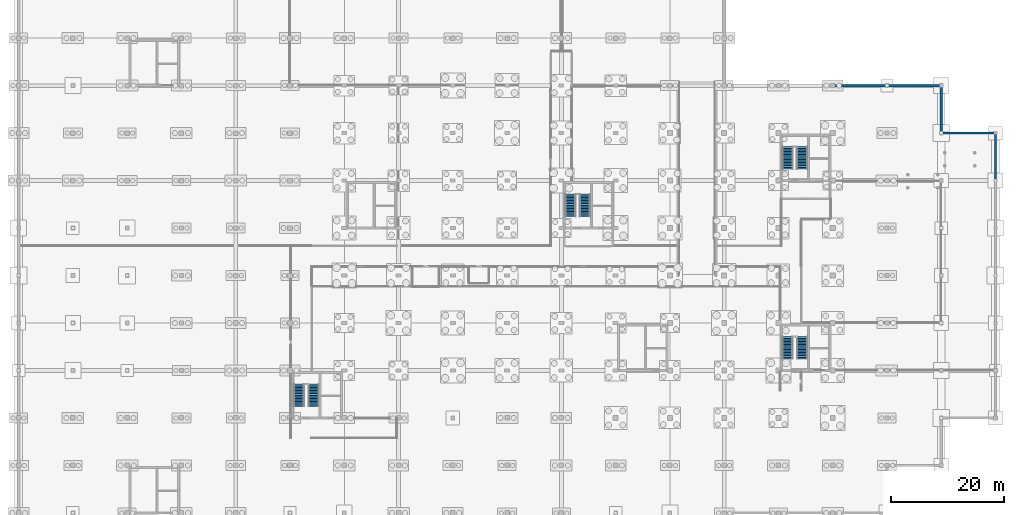
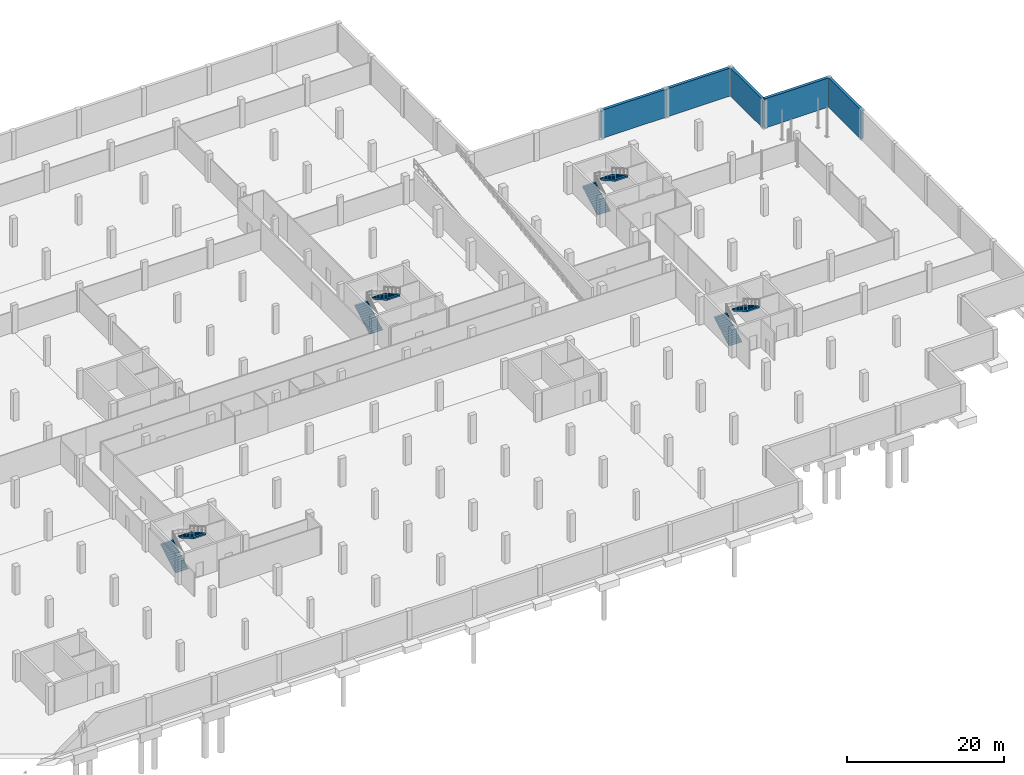
# One storey, part 24 of 26: 8 stair flights, 5 walls, 4 elements without a shape of their own.
"""IFC4 building model written with IfcOpenShell, lengths in metres."""

from ifc_helpers import new_model, si_unit, direction, frame, frame_2d, origin, place, context, subcontext, project, spatial, polyline, rectangle, outline, extrude, material, layer, layer_set, type_object, element, aggregate, save


model = new_model("IFC4")

# Units and contexts
model_context = context("Model", 3, precision=1e-05, world=origin(), true_north=direction((0.0, 1.0)))
body_context = subcontext(model_context, "Body", "Model", "MODEL_VIEW")
ifc_project = project(units=[si_unit("LENGTHUNIT", "METRE"), si_unit("AREAUNIT", "SQUARE_METRE"), si_unit("VOLUMEUNIT", "CUBIC_METRE"), si_unit("PLANEANGLEUNIT", "RADIAN"), si_unit("MASSUNIT", "GRAM", prefix="KILO")], contexts=[model_context])

# Site, building, storey
site_placement = place(None, origin())
site = spatial("IfcSite", under=ifc_project, at=site_placement, CompositionType="ELEMENT")
building_placement = place(site_placement, origin())
building = spatial("IfcBuilding", under=site, at=building_placement, Name="Lornevale Opera House", CompositionType="ELEMENT")
storey_placement = place(building_placement, frame((0.0, 0.0, -9.60009765625)))
storey = spatial("IfcBuildingStorey", under=building, at=storey_placement, Name="B2", CompositionType="ELEMENT", Elevation=-9.60009765625)

# Walls
ifc_material_1 = material(Name="Concrete 40 MPa (CSA A23.1 C-1)", Category="concrete")
ifc_layer_1 = layer(ifc_material_1, 0.419921875)
ifc_layer_set_1 = layer_set([ifc_layer_1], Name="Concrete 40 MPa (CSA A23.1 C-1)")
wall_type = type_object("IfcWallType", Name="Basement Retaining Wall 420", PredefinedType="USERDEFINED", material=ifc_layer_set_1)
wall_1_placement = place(storey_placement, frame((144.0, 84.0, 0.0), z_axis=(0.0, 0.0, 1.0), x_axis=(1.0, 0.0, 0.0)))
element("IfcWall", 1, at=wall_1_placement, inside=storey, type_object=wall_type, Name="Basement Escarpment Plinth Wall WL-EXT-0052", ObjectType="RETAINING WALL", PredefinedType="USERDEFINED", context=body_context, shape_type="SweptSolid", body=[
    extrude(rectangle(XDim=9.60009765625, YDim=0.419921875, at=frame_2d((4.800048828125, 0.0))), origin(), (0.0, 0.0, 1.0), 4.380126953125),
])
wall_2_placement = place(storey_placement, frame((153.60009765625, 84.0, 0.0), z_axis=(0.0, 0.0, 1.0), x_axis=(1.0, 0.0, 0.0)))
element("IfcWall", 2, at=wall_2_placement, inside=storey, type_object=wall_type, Name="Basement Escarpment Plinth Wall WL-EXT-0055", ObjectType="RETAINING WALL", PredefinedType="USERDEFINED", context=body_context, shape_type="SweptSolid", body=[
    extrude(rectangle(XDim=9.599853515625, YDim=0.419921875, at=frame_2d((4.7998046875, 0.0))), origin(), (0.0, 0.0, 1.0), 4.380126953125),
])
wall_3_placement = place(storey_placement, frame((163.199951171875, 84.0, 0.0), z_axis=(0.0, 0.0, 1.0), x_axis=(0.0, -1.0, 0.0)))
element("IfcWall", 3, at=wall_3_placement, inside=storey, type_object=wall_type, Name="Basement Escarpment Plinth Wall WL-EXT-0056", ObjectType="RETAINING WALL", PredefinedType="USERDEFINED", context=body_context, shape_type="SweptSolid", body=[
    extrude(rectangle(XDim=8.39990234375, YDim=0.419921875, at=frame_2d((4.199951171875, 0.0))), origin(), (0.0, 0.0, 1.0), 4.380126953125),
])
wall_4_placement = place(storey_placement, frame((163.199951171875, 75.60009765625, 0.0), z_axis=(0.0, 0.0, 1.0), x_axis=(1.0, 0.0, 0.0)))
element("IfcWall", 4, at=wall_4_placement, inside=storey, type_object=wall_type, Name="Basement Escarpment Plinth Wall WL-EXT-0063", ObjectType="RETAINING WALL", PredefinedType="USERDEFINED", context=body_context, shape_type="SweptSolid", body=[
    extrude(rectangle(XDim=9.60009765625, YDim=0.419921875, at=frame_2d((4.800048828125, 0.0))), origin(), (0.0, 0.0, 1.0), 4.550048828125),
])
wall_5_placement = place(storey_placement, frame((172.800048828125, 75.60009765625, 0.0), z_axis=(0.0, 0.0, 1.0), x_axis=(0.0, -1.0, 0.0)))
element("IfcWall", 5, at=wall_5_placement, inside=storey, type_object=wall_type, Name="Basement Escarpment Plinth Wall WL-EXT-0064", ObjectType="RETAINING WALL", PredefinedType="USERDEFINED", context=body_context, shape_type="SweptSolid", body=[
    extrude(rectangle(XDim=8.400146484375, YDim=0.419921875, at=frame_2d((4.2001953125, 0.0))), origin(), (0.0, 0.0, 1.0), 4.550048828125),
])

# Stair, stair flights
ifc_material_2 = material(Name="Concrete 35 MPa (CSA A23.1 N)", Category="concrete")
ifc_layer_2 = layer(ifc_material_2, 4.800048828125)
ifc_layer_set_2 = layer_set([ifc_layer_2], Name="Concrete 35 MPa (CSA A23.1 N)")
stair_type_1 = type_object("IfcStairType", Name="Protected Exit Stair 4800-W1840", PredefinedType="TWO_STRAIGHT_RUN_STAIR", material=ifc_layer_set_2)
stair_1_placement = place(storey_placement, origin())
stair_1 = element("IfcStair", 6, at=stair_1_placement, inside=storey, type_object=stair_type_1, Name="South-West Foyer Core Stair ST-01 (B2-B1)", PredefinedType="TWO_STRAIGHT_RUN_STAIR")
ifc_layer_3 = layer(ifc_material_2, 0.199951171875)
ifc_layer_set_3 = layer_set([ifc_layer_3], Name="Concrete 35 MPa (CSA A23.1 N)")
stair_flight_type_1 = type_object("IfcStairFlightType", Name="Exit Stair Flight 15R-W1840", PredefinedType="STRAIGHT", material=ifc_layer_set_3)
stair_flight_1_placement = place(storey_placement, frame((49.60009765625, 27.260009765625, 0.0), z_axis=(0.0, 0.0, 1.0), x_axis=(0.0, 1.0, 0.0)))
stair_flight_1 = element("IfcStairFlight", 7, at=stair_flight_1_placement, type_object=stair_flight_type_1, Name="ST-01 Lower Flight SF-001", NumberOfRisers=15, NumberOfTreads=14, PredefinedType="STRAIGHT", RiserHeight=0.16, TreadLength=0.28, context=body_context, shape_type="SweptSolid", body=[
    extrude(outline(polyline([(0.0, 0.0), (0.0, 0.159912109375), (0.280029296875, 0.159912109375), (0.280029296875, 0.320068359375), (0.56005859375, 0.320068359375), (0.56005859375, 0.47998046875), (0.840087890625, 0.47998046875), (0.840087890625, 0.639892578125), (1.1201171875, 0.639892578125), (1.1201171875, 0.800048828125), (1.39990234375, 0.800048828125), (1.39990234375, 0.9599609375), (1.679931640625, 0.9599609375), (1.679931640625, 1.1201171875), (1.9599609375, 1.1201171875), (1.9599609375, 1.280029296875), (2.239990234375, 1.280029296875), (2.239990234375, 1.43994140625), (2.52001953125, 1.43994140625), (2.52001953125, 1.60009765625), (2.800048828125, 1.60009765625), (2.800048828125, 1.760009765625), (3.080078125, 1.760009765625), (3.080078125, 1.919921875), (3.360107421875, 1.919921875), (3.360107421875, 2.080078125), (3.639892578125, 2.080078125), (3.639892578125, 2.239990234375), (3.919921875, 2.239990234375), (3.919921875, 2.009765625), (0.403076171875, 0.0), (0.0, 0.0)])), frame((0.0, 0.919921875, 0.0), z_axis=(0.0, -1.0, 0.0), x_axis=(1.0, 0.0, 0.0)), (0.0, 0.0, 1.0), 1.840087890625),
])
stair_flight_2_placement = place(storey_placement, frame((52.199951171875, 31.179931640625, 2.400146484375), z_axis=(0.0, 0.0, 1.0), x_axis=(0.0, -1.0, 0.0)))
stair_flight_2 = element("IfcStairFlight", 8, at=stair_flight_2_placement, type_object=stair_flight_type_1, Name="ST-01 Upper Flight SF-002", NumberOfRisers=15, NumberOfTreads=14, PredefinedType="STRAIGHT", RiserHeight=0.16, TreadLength=0.28, context=body_context, shape_type="SweptSolid", body=[
    extrude(outline(polyline([(0.0, 0.0), (0.0, 0.159912109375), (0.280029296875, 0.159912109375), (0.280029296875, 0.320068359375), (0.56005859375, 0.320068359375), (0.56005859375, 0.47998046875), (0.840087890625, 0.47998046875), (0.840087890625, 0.639892578125), (1.1201171875, 0.639892578125), (1.1201171875, 0.800048828125), (1.39990234375, 0.800048828125), (1.39990234375, 0.9599609375), (1.679931640625, 0.9599609375), (1.679931640625, 1.1201171875), (1.9599609375, 1.1201171875), (1.9599609375, 1.280029296875), (2.239990234375, 1.280029296875), (2.239990234375, 1.43994140625), (2.52001953125, 1.43994140625), (2.52001953125, 1.60009765625), (2.800048828125, 1.60009765625), (2.800048828125, 1.760009765625), (3.080078125, 1.760009765625), (3.080078125, 1.919921875), (3.360107421875, 1.919921875), (3.360107421875, 2.080078125), (3.639892578125, 2.080078125), (3.639892578125, 2.239990234375), (3.919921875, 2.239990234375), (3.919921875, 2.009765625), (0.403076171875, 0.0), (0.0, 0.0)])), frame((0.0, 0.919921875, 0.0), z_axis=(0.0, -1.0, 0.0), x_axis=(1.0, 0.0, 0.0)), (0.0, 0.0, 1.0), 1.840087890625),
])
aggregate(stair_1, [stair_flight_1, stair_flight_2])

stair_2_placement = place(storey_placement, origin())
stair_2 = element("IfcStair", 9, at=stair_2_placement, inside=storey, type_object=stair_type_1, Name="Backstage Service Lift Core Stair ST-35 (B2-B1)", PredefinedType="TWO_STRAIGHT_RUN_STAIR")
stair_flight_3_placement = place(storey_placement, frame((136.0, 35.659912109375, 0.0), z_axis=(0.0, 0.0, 1.0), x_axis=(0.0, 1.0, 0.0)))
stair_flight_3 = element("IfcStairFlight", 10, at=stair_flight_3_placement, type_object=stair_flight_type_1, Name="ST-35 Lower Flight SF-069", NumberOfRisers=15, NumberOfTreads=14, PredefinedType="STRAIGHT", RiserHeight=0.16, TreadLength=0.28, context=body_context, shape_type="SweptSolid", body=[
    extrude(outline(polyline([(0.0, 0.0), (0.0, 0.159912109375), (0.280029296875, 0.159912109375), (0.280029296875, 0.320068359375), (0.56005859375, 0.320068359375), (0.56005859375, 0.47998046875), (0.840087890625, 0.47998046875), (0.840087890625, 0.639892578125), (1.1201171875, 0.639892578125), (1.1201171875, 0.800048828125), (1.39990234375, 0.800048828125), (1.39990234375, 0.9599609375), (1.679931640625, 0.9599609375), (1.679931640625, 1.1201171875), (1.9599609375, 1.1201171875), (1.9599609375, 1.280029296875), (2.239990234375, 1.280029296875), (2.239990234375, 1.43994140625), (2.52001953125, 1.43994140625), (2.52001953125, 1.60009765625), (2.800048828125, 1.60009765625), (2.800048828125, 1.760009765625), (3.080078125, 1.760009765625), (3.080078125, 1.919921875), (3.360107421875, 1.919921875), (3.360107421875, 2.080078125), (3.639892578125, 2.080078125), (3.639892578125, 2.239990234375), (3.919921875, 2.239990234375), (3.919921875, 2.009765625), (0.403076171875, 0.0), (0.0, 0.0)])), frame((0.0, 0.919921875, 0.0), z_axis=(0.0, -1.0, 0.0), x_axis=(1.0, 0.0, 0.0)), (0.0, 0.0, 1.0), 1.840087890625),
])
stair_flight_4_placement = place(storey_placement, frame((138.60009765625, 39.580078125, 2.400146484375), z_axis=(0.0, 0.0, 1.0), x_axis=(0.0, -1.0, 0.0)))
stair_flight_4 = element("IfcStairFlight", 11, at=stair_flight_4_placement, type_object=stair_flight_type_1, Name="ST-35 Upper Flight SF-070", NumberOfRisers=15, NumberOfTreads=14, PredefinedType="STRAIGHT", RiserHeight=0.16, TreadLength=0.28, context=body_context, shape_type="SweptSolid", body=[
    extrude(outline(polyline([(0.0, 0.0), (0.0, 0.159912109375), (0.280029296875, 0.159912109375), (0.280029296875, 0.320068359375), (0.56005859375, 0.320068359375), (0.56005859375, 0.47998046875), (0.840087890625, 0.47998046875), (0.840087890625, 0.639892578125), (1.1201171875, 0.639892578125), (1.1201171875, 0.800048828125), (1.39990234375, 0.800048828125), (1.39990234375, 0.9599609375), (1.679931640625, 0.9599609375), (1.679931640625, 1.1201171875), (1.9599609375, 1.1201171875), (1.9599609375, 1.280029296875), (2.239990234375, 1.280029296875), (2.239990234375, 1.43994140625), (2.52001953125, 1.43994140625), (2.52001953125, 1.60009765625), (2.800048828125, 1.60009765625), (2.800048828125, 1.760009765625), (3.080078125, 1.760009765625), (3.080078125, 1.919921875), (3.360107421875, 1.919921875), (3.360107421875, 2.080078125), (3.639892578125, 2.080078125), (3.639892578125, 2.239990234375), (3.919921875, 2.239990234375), (3.919921875, 2.009765625), (0.403076171875, 0.0), (0.0, 0.0)])), frame((0.0, 0.919921875, 0.0), z_axis=(0.0, -1.0, 0.0), x_axis=(1.0, 0.0, 0.0)), (0.0, 0.0, 1.0), 1.840087890625),
])
aggregate(stair_2, [stair_flight_3, stair_flight_4])

ifc_layer_4 = layer(ifc_material_2, 4.800048828125)
ifc_layer_set_4 = layer_set([ifc_layer_4], Name="Concrete 35 MPa (CSA A23.1 N)")
stair_type_2 = type_object("IfcStairType", Name="Firefighter Core Stair 4800-W1880", PredefinedType="TWO_STRAIGHT_RUN_STAIR", material=ifc_layer_set_4)
stair_3_placement = place(storey_placement, origin())
stair_3 = element("IfcStair", 12, at=stair_3_placement, inside=storey, type_object=stair_type_2, Name="Stagehouse Firefighter Core West Stair ST-20 (B2-B1)", PredefinedType="TWO_STRAIGHT_RUN_STAIR")
ifc_layer_5 = layer(ifc_material_2, 0.219970703125)
ifc_layer_set_5 = layer_set([ifc_layer_5], Name="Concrete 35 MPa (CSA A23.1 N)")
stair_flight_type_2 = type_object("IfcStairFlightType", Name="Firefighter Flight 15R-W1880", PredefinedType="STRAIGHT", material=ifc_layer_set_5)
stair_flight_5_placement = place(storey_placement, frame((97.6201171875, 60.860107421875, 0.0), z_axis=(0.0, 0.0, 1.0), x_axis=(0.0, 1.0, 0.0)))
stair_flight_5 = element("IfcStairFlight", 13, at=stair_flight_5_placement, type_object=stair_flight_type_2, Name="ST-20 Lower Flight SF-039", NumberOfRisers=15, NumberOfTreads=14, PredefinedType="STRAIGHT", RiserHeight=0.16, TreadLength=0.28, context=body_context, shape_type="SweptSolid", body=[
    extrude(outline(polyline([(0.0, 0.0), (0.0, 0.159912109375), (0.280029296875, 0.159912109375), (0.280029296875, 0.320068359375), (0.56005859375, 0.320068359375), (0.56005859375, 0.47998046875), (0.840087890625, 0.47998046875), (0.840087890625, 0.639892578125), (1.1201171875, 0.639892578125), (1.1201171875, 0.800048828125), (1.39990234375, 0.800048828125), (1.39990234375, 0.9599609375), (1.679931640625, 0.9599609375), (1.679931640625, 1.1201171875), (1.9599609375, 1.1201171875), (1.9599609375, 1.280029296875), (2.239990234375, 1.280029296875), (2.239990234375, 1.43994140625), (2.52001953125, 1.43994140625), (2.52001953125, 1.60009765625), (2.800048828125, 1.60009765625), (2.800048828125, 1.760009765625), (3.080078125, 1.760009765625), (3.080078125, 1.919921875), (3.360107421875, 1.919921875), (3.360107421875, 2.080078125), (3.639892578125, 2.080078125), (3.639892578125, 2.239990234375), (3.919921875, 2.239990234375), (3.919921875, 1.986572265625), (0.443359375, 0.0), (0.0, 0.0)])), frame((0.0, 0.93994140625, 0.0), z_axis=(0.0, -1.0, 0.0), x_axis=(1.0, 0.0, 0.0)), (0.0, 0.0, 1.0), 1.8798828125),
])
stair_flight_6_placement = place(storey_placement, frame((100.179931640625, 64.780029296875, 2.400146484375), z_axis=(0.0, 0.0, 1.0), x_axis=(0.0, -1.0, 0.0)))
stair_flight_6 = element("IfcStairFlight", 14, at=stair_flight_6_placement, type_object=stair_flight_type_2, Name="ST-20 Upper Flight SF-040", NumberOfRisers=15, NumberOfTreads=14, PredefinedType="STRAIGHT", RiserHeight=0.16, TreadLength=0.28, context=body_context, shape_type="SweptSolid", body=[
    extrude(outline(polyline([(0.0, 0.0), (0.0, 0.159912109375), (0.280029296875, 0.159912109375), (0.280029296875, 0.320068359375), (0.56005859375, 0.320068359375), (0.56005859375, 0.47998046875), (0.840087890625, 0.47998046875), (0.840087890625, 0.639892578125), (1.1201171875, 0.639892578125), (1.1201171875, 0.800048828125), (1.39990234375, 0.800048828125), (1.39990234375, 0.9599609375), (1.679931640625, 0.9599609375), (1.679931640625, 1.1201171875), (1.9599609375, 1.1201171875), (1.9599609375, 1.280029296875), (2.239990234375, 1.280029296875), (2.239990234375, 1.43994140625), (2.52001953125, 1.43994140625), (2.52001953125, 1.60009765625), (2.800048828125, 1.60009765625), (2.800048828125, 1.760009765625), (3.080078125, 1.760009765625), (3.080078125, 1.919921875), (3.360107421875, 1.919921875), (3.360107421875, 2.080078125), (3.639892578125, 2.080078125), (3.639892578125, 2.239990234375), (3.919921875, 2.239990234375), (3.919921875, 1.986572265625), (0.443359375, 0.0), (0.0, 0.0)])), frame((0.0, 0.93994140625, 0.0), z_axis=(0.0, -1.0, 0.0), x_axis=(1.0, 0.0, 0.0)), (0.0, 0.0, 1.0), 1.8798828125),
])
aggregate(stair_3, [stair_flight_5, stair_flight_6])

stair_4_placement = place(storey_placement, origin())
stair_4 = element("IfcStair", 15, at=stair_4_placement, inside=storey, type_object=stair_type_2, Name="Backstage Firefighter Core East Stair ST-28 (B2-B1)", PredefinedType="TWO_STRAIGHT_RUN_STAIR")
stair_flight_7_placement = place(storey_placement, frame((136.02001953125, 69.260009765625, 0.0), z_axis=(0.0, 0.0, 1.0), x_axis=(0.0, 1.0, 0.0)))
stair_flight_7 = element("IfcStairFlight", 16, at=stair_flight_7_placement, type_object=stair_flight_type_2, Name="ST-28 Lower Flight SF-055", NumberOfRisers=15, NumberOfTreads=14, PredefinedType="STRAIGHT", RiserHeight=0.16, TreadLength=0.28, context=body_context, shape_type="SweptSolid", body=[
    extrude(outline(polyline([(0.0, 0.0), (0.0, 0.159912109375), (0.280029296875, 0.159912109375), (0.280029296875, 0.320068359375), (0.56005859375, 0.320068359375), (0.56005859375, 0.47998046875), (0.840087890625, 0.47998046875), (0.840087890625, 0.639892578125), (1.1201171875, 0.639892578125), (1.1201171875, 0.800048828125), (1.39990234375, 0.800048828125), (1.39990234375, 0.9599609375), (1.679931640625, 0.9599609375), (1.679931640625, 1.1201171875), (1.9599609375, 1.1201171875), (1.9599609375, 1.280029296875), (2.239990234375, 1.280029296875), (2.239990234375, 1.43994140625), (2.52001953125, 1.43994140625), (2.52001953125, 1.60009765625), (2.800048828125, 1.60009765625), (2.800048828125, 1.760009765625), (3.080078125, 1.760009765625), (3.080078125, 1.919921875), (3.360107421875, 1.919921875), (3.360107421875, 2.080078125), (3.639892578125, 2.080078125), (3.639892578125, 2.239990234375), (3.919921875, 2.239990234375), (3.919921875, 1.986572265625), (0.443359375, 0.0), (0.0, 0.0)])), frame((0.0, 0.93994140625, 0.0), z_axis=(0.0, -1.0, 0.0), x_axis=(1.0, 0.0, 0.0)), (0.0, 0.0, 1.0), 1.8798828125),
])
stair_flight_8_placement = place(storey_placement, frame((138.580078125, 73.179931640625, 2.400146484375), z_axis=(0.0, 0.0, 1.0), x_axis=(0.0, -1.0, 0.0)))
stair_flight_8 = element("IfcStairFlight", 17, at=stair_flight_8_placement, type_object=stair_flight_type_2, Name="ST-28 Upper Flight SF-056", NumberOfRisers=15, NumberOfTreads=14, PredefinedType="STRAIGHT", RiserHeight=0.16, TreadLength=0.28, context=body_context, shape_type="SweptSolid", body=[
    extrude(outline(polyline([(0.0, 0.0), (0.0, 0.159912109375), (0.280029296875, 0.159912109375), (0.280029296875, 0.320068359375), (0.56005859375, 0.320068359375), (0.56005859375, 0.47998046875), (0.840087890625, 0.47998046875), (0.840087890625, 0.639892578125), (1.1201171875, 0.639892578125), (1.1201171875, 0.800048828125), (1.39990234375, 0.800048828125), (1.39990234375, 0.9599609375), (1.679931640625, 0.9599609375), (1.679931640625, 1.1201171875), (1.9599609375, 1.1201171875), (1.9599609375, 1.280029296875), (2.239990234375, 1.280029296875), (2.239990234375, 1.43994140625), (2.52001953125, 1.43994140625), (2.52001953125, 1.60009765625), (2.800048828125, 1.60009765625), (2.800048828125, 1.760009765625), (3.080078125, 1.760009765625), (3.080078125, 1.919921875), (3.360107421875, 1.919921875), (3.360107421875, 2.080078125), (3.639892578125, 2.080078125), (3.639892578125, 2.239990234375), (3.919921875, 2.239990234375), (3.919921875, 1.986572265625), (0.443359375, 0.0), (0.0, 0.0)])), frame((0.0, 0.93994140625, 0.0), z_axis=(0.0, -1.0, 0.0), x_axis=(1.0, 0.0, 0.0)), (0.0, 0.0, 1.0), 1.8798828125),
])
aggregate(stair_4, [stair_flight_7, stair_flight_8])

save(model, "model.ifc")
